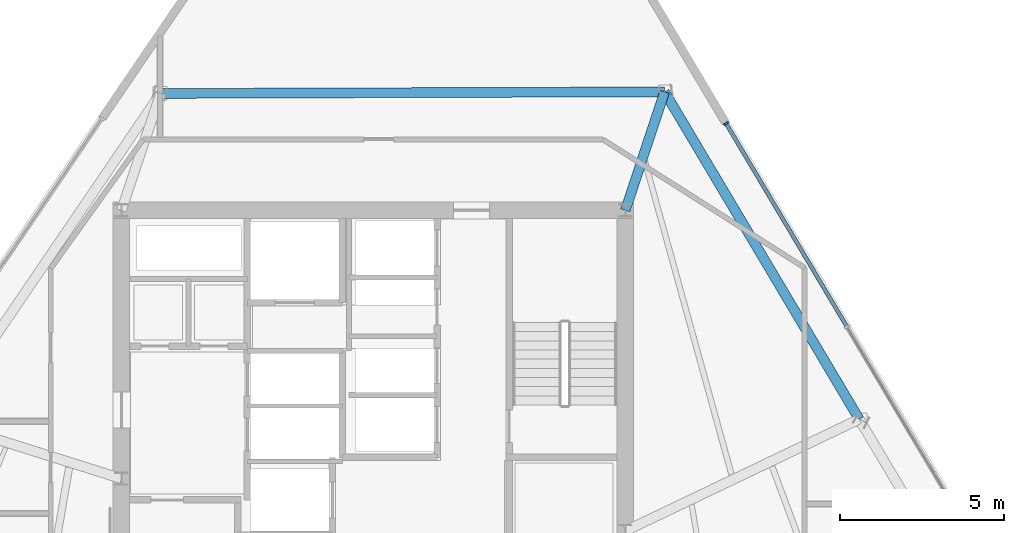
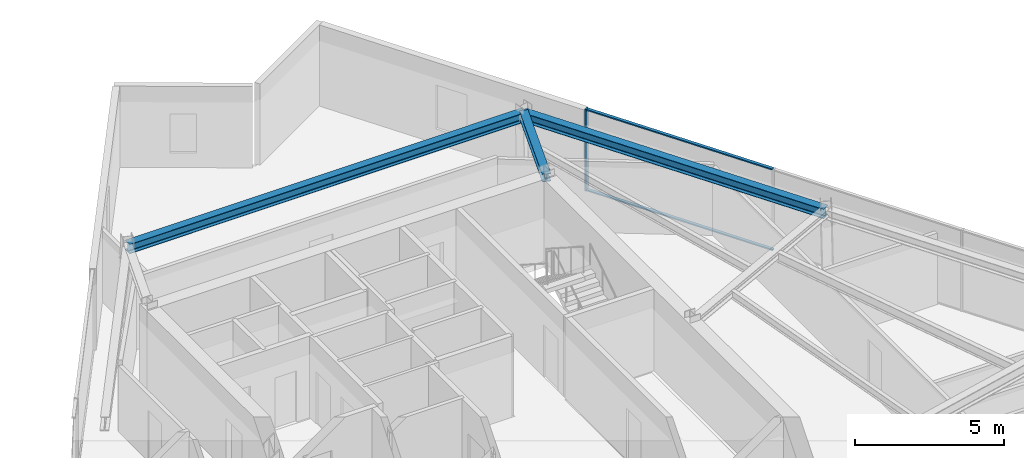
# One storey, part 6 of 15: 3 beams, 3 members, 1 element without a shape of its own.
"""IFC4 building model written with IfcOpenShell, lengths in metres."""

from ifc_helpers import new_model, si_unit, direction, frame, origin, origin_2d, place, context, subcontext, project, spatial, rectangle, i_section, extrude, material, material_profile, profile_set, type_object, element, aggregate, save


model = new_model("IFC4")

# Units and contexts
model_context = context("Model", 3, precision=1e-05, world=origin(), true_north=direction((0.0, 1.0)))
body_context = subcontext(model_context, "Body", "Model", "MODEL_VIEW")
ifc_project = project(units=[si_unit("LENGTHUNIT", "METRE"), si_unit("AREAUNIT", "SQUARE_METRE"), si_unit("VOLUMEUNIT", "CUBIC_METRE"), si_unit("PLANEANGLEUNIT", "RADIAN"), si_unit("MASSUNIT", "GRAM", prefix="KILO")], contexts=[model_context])

# Site, building, storey
site_placement = place(None, origin())
site = spatial("IfcSite", under=ifc_project, at=site_placement, CompositionType="ELEMENT")
building_placement = place(site_placement, origin())
building = spatial("IfcBuilding", under=site, at=building_placement, Name="Savorim Split Tower", CompositionType="ELEMENT")
storey_placement = place(building_placement, frame((0.0, 0.0, 198.300048828125)))
storey = spatial("IfcBuildingStorey", under=building, at=storey_placement, Name="L52", CompositionType="ELEMENT", Elevation=198.300048828125)

# Beams
ifc_material_1 = material(Name="Steel S355", Category="steel")
ifc_material_profile_1 = material_profile(ifc_material_1, i_section(OverallWidth=0.300048828125, OverallDepth=0.320068359375, WebThickness=0.011474609375, FlangeThickness=0.0205078125, FilletRadius=0.027099609375, at=origin_2d()), Name="HEB 320")
ifc_profile_set_1 = profile_set([ifc_material_profile_1], Name="Steel S355")
beam_type_1 = type_object("IfcBeamType", Name="BM-PRI-HEB320", PredefinedType="BEAM", material=ifc_profile_set_1)
beam_1_placement = place(storey_placement, frame((8.899658203125, 13.820068359375, 3.18994140625), z_axis=(-0.314575668499, -0.949232399778, 0.0), x_axis=(0.949232399778, -0.314575668499, 0.0)))
element("IfcBeam", 1, at=beam_1_placement, inside=storey, type_object=beam_type_1, Name="L52 Primary Floor Girder RG-07", PredefinedType="BEAM", context=body_context, shape_type="SweptSolid", body=[
    extrude(i_section(OverallWidth=0.300048828125, OverallDepth=0.320068359375, WebThickness=0.011474609375, FlangeThickness=0.0205078125, FilletRadius=0.027099609375, at=origin_2d()), origin(), (0.0, 0.0, 1.0), 3.813720703125),
])
ifc_material_profile_2 = material_profile(ifc_material_1, i_section(OverallWidth=0.300048828125, OverallDepth=0.389892578125, WebThickness=0.010986328125, FlangeThickness=0.01904296875, FilletRadius=0.027099609375, at=origin_2d()), Name="HEA 400")
ifc_profile_set_2 = profile_set([ifc_material_profile_2], Name="Steel S355")
beam_type_2 = type_object("IfcBeamType", Name="BM-SPN-HEA400", PredefinedType="SPANDREL", material=ifc_profile_set_2)
beam_2_placement = place(storey_placement, frame((14.847900390625, 3.816650390625, 3.155029296875), z_axis=(-0.51109214749, 0.859525925597, 0.0), x_axis=(-0.859525925597, -0.51109214749, 0.0)))
element("IfcBeam", 2, at=beam_2_placement, inside=storey, type_object=beam_type_2, Name="L52 Perimeter Spandrel Beam 6", PredefinedType="SPANDREL", context=body_context, shape_type="SweptSolid", body=[
    extrude(i_section(OverallWidth=0.300048828125, OverallDepth=0.389892578125, WebThickness=0.010986328125, FlangeThickness=0.01904296875, FilletRadius=0.027099609375, at=origin_2d()), origin(), (0.0, 0.0, 1.0), 11.63818359375),
])
beam_3_placement = place(storey_placement, frame((8.899658203125, 13.820068359375, 3.155029296875), z_axis=(-0.999994975192, -0.003170108815, 0.0), x_axis=(0.003170108815, -0.999994975192, 0.0)))
element("IfcBeam", 3, at=beam_3_placement, inside=storey, type_object=beam_type_2, Name="L52 Perimeter Spandrel Beam 7", PredefinedType="SPANDREL", context=body_context, shape_type="SweptSolid", body=[
    extrude(i_section(OverallWidth=0.300048828125, OverallDepth=0.389892578125, WebThickness=0.010986328125, FlangeThickness=0.01904296875, FilletRadius=0.027099609375, at=origin_2d()), origin(), (0.0, 0.0, 1.0), 15.402587890625),
])

# Curtain wall, members
ifc_material_2 = material(Name="Dark Ceramic-Fritted Insulated Glass", Category="glass")
curtain_wall_type = type_object("IfcCurtainWallType", Name="CW-TWR-FRIT-B", PredefinedType="NOTDEFINED", material=ifc_material_2)
curtain_wall_placement = place(storey_placement, origin())
curtain_wall = element("IfcCurtainWall", 4, at=curtain_wall_placement, inside=storey, type_object=curtain_wall_type, Name="L52 Curtain Wall CW-L52-EAST", PredefinedType="NOTDEFINED")
ifc_material_3 = material(Name="Charcoal Anodised Aluminium", Category="aluminium")
ifc_material_profile_3 = material_profile(ifc_material_3, rectangle(XDim=0.159912109375, YDim=0.06005859375, at=origin_2d()), Name="ALU-M 160x60")
ifc_profile_set_3 = profile_set([ifc_material_profile_3], Name="Charcoal Anodised Aluminium")
member_type_1 = type_object("IfcMemberType", Name="CWM-160x60", PredefinedType="MULLION", material=ifc_profile_set_3)
member_1_placement = place(storey_placement, frame((10.779296875, 12.853759765625, 0.0), z_axis=(0.0, 0.0, 1.0), x_axis=(-0.859525909056, -0.511092175308, 0.0)))
member_1 = element("IfcMember", 5, at=member_1_placement, type_object=member_type_1, Name="CW-03 mullion 5", PredefinedType="MULLION", context=body_context, shape_type="SweptSolid", body=[
    extrude(rectangle(XDim=0.159912109375, YDim=0.06005859375, at=origin_2d()), origin(), (0.0, 0.0, 1.0), 3.349853515625),
])
ifc_material_profile_4 = material_profile(ifc_material_3, rectangle(XDim=0.1201171875, YDim=0.050048828125, at=origin_2d()), Name="ALU-T 120x50")
ifc_profile_set_4 = profile_set([ifc_material_profile_4], Name="Charcoal Anodised Aluminium")
member_type_2 = type_object("IfcMemberType", Name="CWT-120x50", PredefinedType="USERDEFINED", material=ifc_profile_set_4)
member_2_placement = place(storey_placement, frame((14.4580078125, 6.667236328125, 0.02490234375), z_axis=(-0.511085594604, 0.859529822047, 0.0), x_axis=(-0.859529822047, -0.511085594604, 0.0)))
member_2 = element("IfcMember", 6, at=member_2_placement, type_object=member_type_2, Name="CW-03 transom 4.1", ObjectType="TRANSOM", PredefinedType="USERDEFINED", context=body_context, shape_type="SweptSolid", body=[
    extrude(rectangle(XDim=0.1201171875, YDim=0.050048828125, at=origin_2d()), origin(), (0.0, 0.0, 1.0), 7.167724609375),
])
member_3_placement = place(storey_placement, frame((14.4580078125, 6.667236328125, 3.324951171875), z_axis=(-0.511085594604, 0.859529822047, 0.0), x_axis=(-0.859529822047, -0.511085594604, 0.0)))
member_3 = element("IfcMember", 7, at=member_3_placement, type_object=member_type_2, Name="CW-03 transom 4.2", ObjectType="TRANSOM", PredefinedType="USERDEFINED", context=body_context, shape_type="SweptSolid", body=[
    extrude(rectangle(XDim=0.1201171875, YDim=0.050048828125, at=origin_2d()), origin(), (0.0, 0.0, 1.0), 7.167724609375),
])
aggregate(curtain_wall, [member_1, member_2, member_3])

save(model, "model.ifc")
